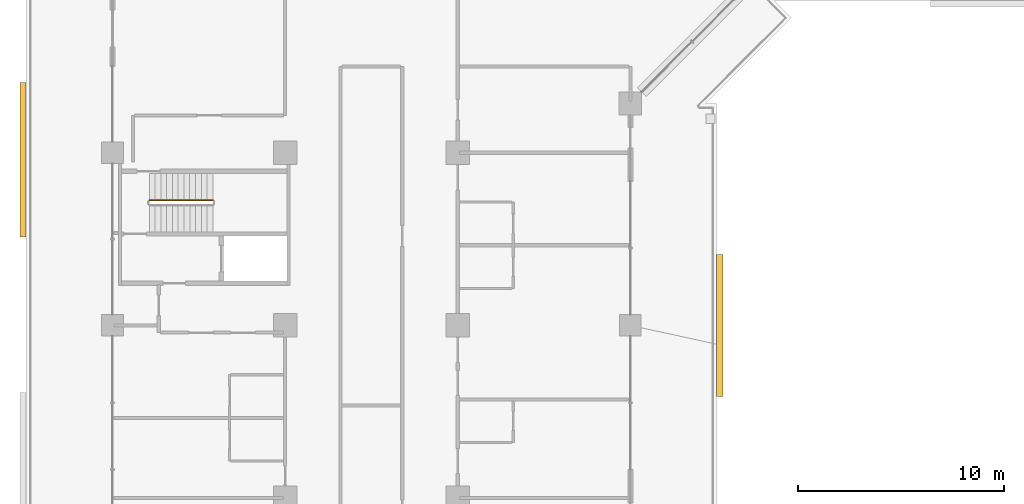
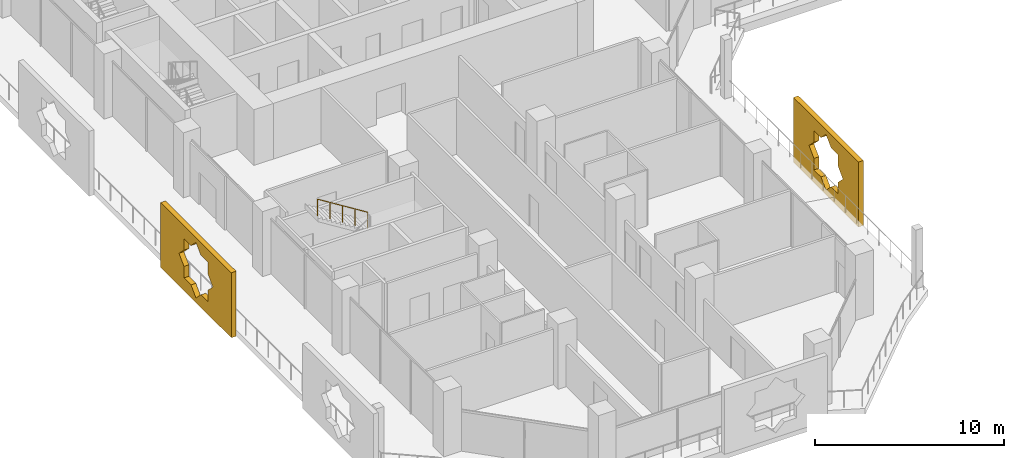
# One storey, part 21 of 25: 2 coverings, 1 railing.
"""IFC4 building model written with IfcOpenShell, lengths in metres."""

from ifc_helpers import new_model, si_unit, direction, frame, origin, origin_2d, place, context, subcontext, project, spatial, polyline, circle, outline, extrude, material, material_profile, profile_set, type_object, element, save


model = new_model("IFC4")

# Units and contexts
model_context = context("Model", 3, precision=1e-05, world=origin(), true_north=direction((0.0, 1.0)))
body_context = subcontext(model_context, "Body", "Model", "MODEL_VIEW")
ifc_project = project(units=[si_unit("LENGTHUNIT", "METRE"), si_unit("AREAUNIT", "SQUARE_METRE"), si_unit("VOLUMEUNIT", "CUBIC_METRE"), si_unit("PLANEANGLEUNIT", "RADIAN"), si_unit("MASSUNIT", "GRAM", prefix="KILO")], contexts=[model_context])

# Site, building, storey
site_placement = place(None, origin())
site = spatial("IfcSite", under=ifc_project, at=site_placement, CompositionType="ELEMENT")
building_placement = place(site_placement, origin())
building = spatial("IfcBuilding", under=site, at=building_placement, Name="Kawkab Arch Medical Tower", CompositionType="ELEMENT")
storey_placement = place(building_placement, frame((0.0, 0.0, 111.39990234375)))
storey = spatial("IfcBuildingStorey", under=building, at=storey_placement, Name="L25", CompositionType="ELEMENT", Elevation=111.39990234375)

# Coverings
ifc_material_1 = material(Name="Bronze anodised aluminium mashrabiya panel, eight-point star pattern", Category="aluminium")
ifc_material_profile_1 = material_profile(ifc_material_1, outline(polyline([(-3.449951171875, -2.10009765625), (3.449951171875, -2.10009765625), (3.449951171875, 2.10009765625), (-3.449951171875, 2.10009765625), (-3.449951171875, -2.10009765625)]), holes=[polyline([(1.800048828125, 0.0), (1.272705078125, 0.527099609375), (1.272705078125, 1.272705078125), (0.527099609375, 1.272705078125), (0.0, 1.800048828125), (-0.527099609375, 1.272705078125), (-1.272705078125, 1.272705078125), (-1.272705078125, 0.527099609375), (-1.800048828125, 0.0), (-1.272705078125, -0.527099609375), (-1.272705078125, -1.272705078125), (-0.527099609375, -1.272705078125), (0.0, -1.800048828125), (0.527099609375, -1.272705078125), (1.272705078125, -1.272705078125), (1.272705078125, -0.527099609375), (1.800048828125, 0.0)])]), Name="Mashrabiya panel 6900x4200")
ifc_profile_set_1 = profile_set([ifc_material_profile_1], Name="Bronze anodised aluminium mashrabiya panel, eight-point star pattern")
covering_type_1 = type_object("IfcCoveringType", Name="Mashrabiya panel 6900 x 4200", PredefinedType="USERDEFINED", material=ifc_profile_set_1)
covering_1_placement = place(storey_placement, frame((29.39990234375, -42.002685546875, 1.7001953125), z_axis=(1.0, 0.0, 0.0), x_axis=(0.0, 1.0, 0.0)))
element("IfcCovering", 1, at=covering_1_placement, inside=storey, type_object=covering_type_1, Name="Mashrabiya panel L25.LOG-01-01.3", ObjectType="SCREEN", PredefinedType="USERDEFINED", context=body_context, shape_type="SweptSolid", body=[
    extrude(outline(polyline([(-3.449951171875, -2.10009765625), (3.449951171875, -2.10009765625), (3.449951171875, 2.10009765625), (-3.449951171875, 2.10009765625), (-3.449951171875, -2.10009765625)]), holes=[polyline([(1.800048828125, 0.0), (1.272705078125, 0.527099609375), (1.272705078125, 1.272705078125), (0.527099609375, 1.272705078125), (0.0, 1.800048828125), (-0.527099609375, 1.272705078125), (-1.272705078125, 1.272705078125), (-1.272705078125, 0.527099609375), (-1.800048828125, 0.0), (-1.272705078125, -0.527099609375), (-1.272705078125, -1.272705078125), (-0.527099609375, -1.272705078125), (0.0, -1.800048828125), (0.527099609375, -1.272705078125), (1.272705078125, -1.272705078125), (1.272705078125, -0.527099609375), (1.800048828125, 0.0)])]), origin(), (0.0, 0.0, 1.0), 0.300048828125),
])
ifc_material_2 = material(Name="Bronze anodised aluminium mashrabiya panel, eight-point star pattern", Category="aluminium")
ifc_material_profile_2 = material_profile(ifc_material_2, outline(polyline([(-3.75, -2.10009765625), (3.75, -2.10009765625), (3.75, 2.10009765625), (-3.75, 2.10009765625), (-3.75, -2.10009765625)]), holes=[polyline([(1.800048828125, 0.0), (1.272705078125, 0.527099609375), (1.272705078125, 1.272705078125), (0.527099609375, 1.272705078125), (0.0, 1.800048828125), (-0.527099609375, 1.272705078125), (-1.272705078125, 1.272705078125), (-1.272705078125, 0.527099609375), (-1.800048828125, 0.0), (-1.272705078125, -0.527099609375), (-1.272705078125, -1.272705078125), (-0.527099609375, -1.272705078125), (0.0, -1.800048828125), (0.527099609375, -1.272705078125), (1.272705078125, -1.272705078125), (1.272705078125, -0.527099609375), (1.800048828125, 0.0)])]), Name="Mashrabiya panel 7500x4200")
ifc_profile_set_2 = profile_set([ifc_material_profile_2], Name="Bronze anodised aluminium mashrabiya panel, eight-point star pattern")
covering_type_2 = type_object("IfcCoveringType", Name="Mashrabiya panel 7500 x 4200", PredefinedType="USERDEFINED", material=ifc_profile_set_2)
covering_2_placement = place(storey_placement, frame((-4.199951171875, -33.94140625, 1.7001953125), z_axis=(-1.0, 0.0, 0.0), x_axis=(0.0, -1.0, 0.0)))
element("IfcCovering", 2, at=covering_2_placement, inside=storey, type_object=covering_type_2, Name="Mashrabiya panel L25.LOG-01-01.6", ObjectType="SCREEN", PredefinedType="USERDEFINED", context=body_context, shape_type="SweptSolid", body=[
    extrude(outline(polyline([(-3.75, -2.10009765625), (3.75, -2.10009765625), (3.75, 2.10009765625), (-3.75, 2.10009765625), (-3.75, -2.10009765625)]), holes=[polyline([(1.800048828125, 0.0), (1.272705078125, 0.527099609375), (1.272705078125, 1.272705078125), (0.527099609375, 1.272705078125), (0.0, 1.800048828125), (-0.527099609375, 1.272705078125), (-1.272705078125, 1.272705078125), (-1.272705078125, 0.527099609375), (-1.800048828125, 0.0), (-1.272705078125, -0.527099609375), (-1.272705078125, -1.272705078125), (-0.527099609375, -1.272705078125), (0.0, -1.800048828125), (0.527099609375, -1.272705078125), (1.272705078125, -1.272705078125), (1.272705078125, -0.527099609375), (1.800048828125, 0.0)])]), origin(), (0.0, 0.0, 1.0), 0.300048828125),
])

# Railing
ifc_material_3 = material(Name="Stainless steel", Category="steel")
railing_type = type_object("IfcRailingType", Name="Stair guard 1100", PredefinedType="GUARDRAIL", material=ifc_material_3)
railing_placement = place(storey_placement, frame((4.8798828125, -35.89990234375, 2.275146484375)))
element("IfcRailing", 3, at=railing_placement, inside=storey, type_object=railing_type, Name="L25 ST6 stair guard 3", PredefinedType="GUARDRAIL", context=body_context, shape_type="SweptSolid", body=[
    extrude(circle(Radius=0.02392578125, at=origin_2d()), frame((0.0, 0.0, 1.076171875), z_axis=(-0.847979421464, 0.0, 0.530029150871), x_axis=(0.0, -1.0, 0.0)), (0.0, 0.0, 1.0), 3.632080078125),
    extrude(circle(Radius=0.02099609375, at=origin_2d()), origin(), (0.0, 0.0, 1.0), 1.052001953125),
    extrude(circle(Radius=0.02099609375, at=origin_2d()), frame((-0.77001953125, 0.0, 0.481201171875)), (0.0, 0.0, 1.0), 1.052001953125),
    extrude(circle(Radius=0.02099609375, at=origin_2d()), frame((-1.5400390625, 0.0, 0.96240234375)), (0.0, 0.0, 1.0), 1.052001953125),
    extrude(circle(Radius=0.02099609375, at=origin_2d()), frame((-2.309814453125, 0.0, 1.44384765625)), (0.0, 0.0, 1.0), 1.052001953125),
    extrude(circle(Radius=0.02099609375, at=origin_2d()), frame((-3.079833984375, 0.0, 1.925048828125)), (0.0, 0.0, 1.0), 1.052001953125),
])

save(model, "model.ifc")
